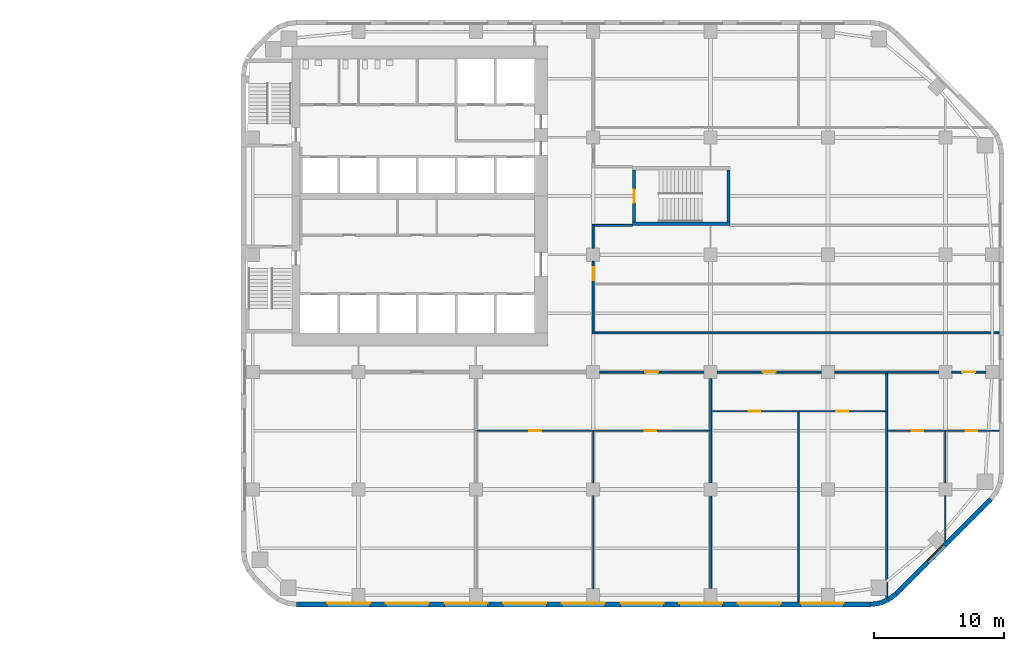
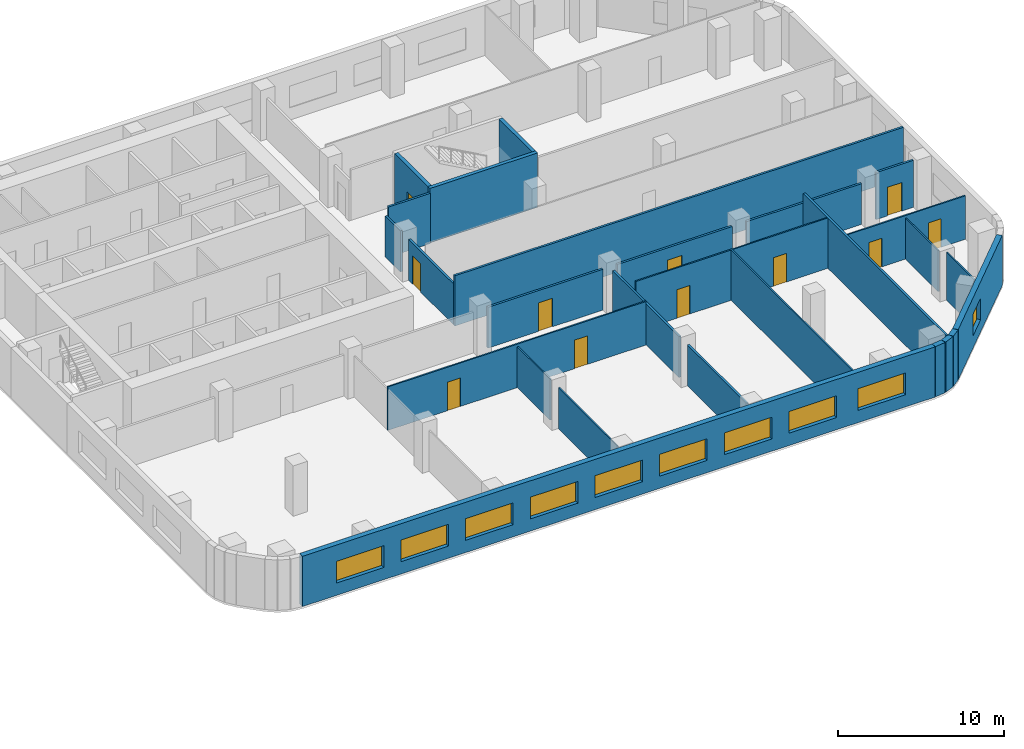
# One storey, part 10 of 16: 28 walls, 11 doors, 10 windows, 21 openings.
"""IFC4 building model written with IfcOpenShell, lengths in metres."""

import ifcopenshell
import ifcopenshell.guid

model = None  # the IFC model being written
_history = None  # IfcOwnerHistory: only IFC2X3 demands one
_inside = {}  # id of a spatial element -> (the spatial element, [elements in it])
_under = {}  # id of a project, library or spatial element -> (it, [spatial elements below it])
_declared = {}  # id of a project -> (the project, [libraries it declares])
_typed = {}  # id of a type object -> (the type object, [elements of that type])
_made_of = {}  # id of a material, layer set ... -> (it, [elements and type objects made of it])


def new_model(schema):
    """Start an empty IFC model of exactly this schema.

    Asked for "IFC4X3", IfcOpenShell would pick the latest addendum, in which some entities
    have other attributes; the version numbers below select the first issue.
    IFC2X3 requires an IfcOwnerHistory on every rooted entity: one is made here for all.
    """
    global model, _history
    if schema == "IFC4X3":
        model = ifcopenshell.file(schema_version=(4, 3, 0, 0))
    else:
        model = ifcopenshell.file(schema=schema)
    _inside.clear()
    _under.clear()
    _declared.clear()
    _typed.clear()
    _made_of.clear()
    _history = None
    if model.schema == "IFC2X3":
        org = make("IfcOrganization", Name="unknown")
        user = make(
            "IfcPersonAndOrganization",
            ThePerson=make("IfcPerson", FamilyName="unknown"),
            TheOrganization=org,
        )
        app = make(
            "IfcApplication",
            ApplicationDeveloper=org,
            Version="unknown",
            ApplicationFullName="unknown",
            ApplicationIdentifier="unknown",
        )
        _history = make(
            "IfcOwnerHistory",
            OwningUser=user,
            OwningApplication=app,
            ChangeAction="ADDED",
            CreationDate=0,
        )
    return model


def make(cls, **values):
    """One entity of the class cls with the attributes given. An attribute that is None is left unset."""
    return model.create_entity(
        cls, **{name: value for name, value in values.items() if value is not None}
    )


def rooted(cls, **values):
    """An entity with a GlobalId (a new one), such as an element, a storey or a relation."""
    return make(cls, GlobalId=ifcopenshell.guid.new(), OwnerHistory=_history, **values)


def si_unit(unit_type, name, prefix=None):
    """IfcSIUnit, for example si_unit("LENGTHUNIT", "METRE", prefix="MILLI")."""
    return make("IfcSIUnit", UnitType=unit_type, Prefix=prefix, Name=name)


def assignment(units):
    """IfcUnitAssignment: the units of a project."""
    return None if units is None else make("IfcUnitAssignment", Units=units)


def point(xyz):
    """IfcCartesianPoint."""
    return None if xyz is None else make("IfcCartesianPoint", Coordinates=xyz)


def direction(xyz):
    """IfcDirection."""
    return None if xyz is None else make("IfcDirection", DirectionRatios=xyz)


def frame(location, z_axis=None, x_axis=None):
    """IfcAxis2Placement3D, a coordinate frame: its origin and axes. An axis left out is left unset."""
    return make(
        "IfcAxis2Placement3D",
        Location=point(location),
        Axis=direction(z_axis),
        RefDirection=direction(x_axis),
    )


def frame_2d(location, x_axis=None):
    """IfcAxis2Placement2D, a coordinate frame in the plane: its origin and x axis."""
    return make(
        "IfcAxis2Placement2D", Location=point(location), RefDirection=direction(x_axis)
    )


def origin():
    """The frame at (0, 0, 0) with its axes left unset."""
    return frame((0.0, 0.0, 0.0))


def place(relative_to, where):
    """IfcLocalPlacement: puts the frame where relative to a parent placement (None: the world)."""
    return make(
        "IfcLocalPlacement", PlacementRelTo=relative_to, RelativePlacement=where
    )


def context(
    kind, dimensions, precision=None, world=None, true_north=None, identifier=None
):
    """IfcGeometricRepresentationContext, for example the 3D "Model" context."""
    return make(
        "IfcGeometricRepresentationContext",
        ContextIdentifier=identifier,
        ContextType=kind,
        CoordinateSpaceDimension=dimensions,
        Precision=precision,
        WorldCoordinateSystem=world,
        TrueNorth=true_north,
    )


def subcontext(parent, identifier, kind, view, scale=None):
    """IfcGeometricRepresentationSubContext, for example "Body" below "Model"."""
    return make(
        "IfcGeometricRepresentationSubContext",
        ContextIdentifier=identifier,
        ContextType=kind,
        ParentContext=parent,
        TargetScale=scale,
        TargetView=view,
    )


def project(units=None, contexts=None):
    """IfcProject with its units and contexts."""
    return rooted(
        "IfcProject",
        Name="project",
        RepresentationContexts=contexts,
        UnitsInContext=assignment(units),
    )


def spatial(cls, under=None, at=None, **own):
    """A site, building, storey or space (cls), placed at a placement, below another one or the project."""
    s = rooted(cls, ObjectPlacement=at, **own)
    if under is not None:
        _under.setdefault(under.id(), (under, []))[1].append(s)
    return s


def profile(cls, at=None, kind="AREA", **sizes):
    """A parametric profile (cls). Its sizes go by their IFC names, for example OverallWidth=200.0."""
    return make(cls, ProfileType=kind, Position=at, **sizes)


def rectangle(**sizes):
    """IfcRectangleProfileDef."""
    return profile("IfcRectangleProfileDef", **sizes)


def extrude(swept, where, along, depth):
    """IfcExtrudedAreaSolid: the profile swept, set in the frame where, extruded along a direction by depth."""
    return make(
        "IfcExtrudedAreaSolid",
        SweptArea=swept,
        Position=where,
        ExtrudedDirection=direction(along),
        Depth=depth,
    )


def shape(context_of_items, identifier, shape_type, items):
    """IfcShapeRepresentation: the items that make up one representation, for example the "Body"."""
    return make(
        "IfcShapeRepresentation",
        ContextOfItems=context_of_items,
        RepresentationIdentifier=identifier,
        RepresentationType=shape_type,
        Items=items,
    )


def material(Name=None, Category=None):
    """IfcMaterial."""
    return make("IfcMaterial", Name=Name, Category=Category)


def layer(
    of_material, thickness, ventilated=None, Name=None, Category=None, Priority=None
):
    """IfcMaterialLayer: one layer of a wall or slab, of a material (None: an air gap)."""
    return make(
        "IfcMaterialLayer",
        Material=of_material,
        LayerThickness=thickness,
        IsVentilated=ventilated,
        Name=Name,
        Category=Category,
        Priority=Priority,
    )


def layer_set(layers, Name=None):
    """IfcMaterialLayerSet."""
    return make("IfcMaterialLayerSet", MaterialLayers=layers, LayerSetName=Name)


def made_of(thing, what):
    """Note that an element or type object is made of a material, layer set ...; save() writes the relation."""
    if what is not None:
        _made_of.setdefault(what.id(), (what, []))[1].append(thing)
    return thing


def type_object(cls, material=None, **own):
    """A type object (cls), such as IfcWallType, which elements share."""
    return made_of(rooted(cls, **own), material)


def element(
    cls,
    number,
    at=None,
    inside=None,
    cuts=None,
    type_object=None,
    material=None,
    context=None,
    identifier="Body",
    shape_type=None,
    held_by="IfcProductDefinitionShape",
    body=None,
    shapes=None,
    **own,
):
    """One element of the class cls, such as IfcWall. Its Tag is "e" and its number.

    at: its placement. inside: the storey or other place that contains it. cuts: it is an
    opening in that element (IfcRelVoidsElement). A single representation is given by context,
    identifier, shape_type and body (its items); several are given by shapes. held_by: the class
    of the entity that holds the representations. save() writes the other relations.
    """
    e = rooted(cls, Tag="e%d" % number, ObjectPlacement=at, **own)
    if body is not None:
        shapes = [shape(context, identifier, shape_type, body)]
    if shapes is not None:
        e.Representation = make(held_by, Representations=shapes)
    if inside is not None:
        _inside.setdefault(inside.id(), (inside, []))[1].append(e)
    if cuts is not None:
        rooted(
            "IfcRelVoidsElement", RelatingBuildingElement=cuts, RelatedOpeningElement=e
        )
    if type_object is not None:
        _typed.setdefault(type_object.id(), (type_object, []))[1].append(e)
    return made_of(e, material)


def fill(opening, filler):
    """IfcRelFillsElement: the door or window that sits in an opening."""
    return rooted(
        "IfcRelFillsElement",
        RelatingOpeningElement=opening,
        RelatedBuildingElement=filler,
    )


def aggregate(whole, parts):
    """IfcRelAggregates: a whole, such as a stair, and the parts it consists of."""
    return rooted("IfcRelAggregates", RelatingObject=whole, RelatedObjects=parts)


def save(model, path):
    """Write the relations noted so far, then the file.

    IfcRelAggregates (storeys below a building ...), IfcRelContainedInSpatialStructure (elements
    in a storey), IfcRelDefinesByType, IfcRelAssociatesMaterial and IfcRelDeclares: one each for
    every whole, place, type object, material and project.
    """
    for whole, parts in _under.values():
        aggregate(whole, parts)
    for where, things in _inside.values():
        rooted(
            "IfcRelContainedInSpatialStructure",
            RelatedElements=things,
            RelatingStructure=where,
        )
    for kind, things in _typed.values():
        rooted("IfcRelDefinesByType", RelatedObjects=things, RelatingType=kind)
    for what, things in _made_of.values():
        rooted("IfcRelAssociatesMaterial", RelatedObjects=things, RelatingMaterial=what)
    for by, libraries in _declared.values():
        rooted("IfcRelDeclares", RelatingContext=by, RelatedDefinitions=libraries)
    model.write(path)


model = new_model("IFC4")

# Units and contexts
model_context = context("Model", 3, precision=1e-05, world=origin(), true_north=direction((0.0, 1.0)))
body_context = subcontext(model_context, "Body", "Model", "MODEL_VIEW")
ifc_project = project(units=[si_unit("LENGTHUNIT", "METRE"), si_unit("AREAUNIT", "SQUARE_METRE"), si_unit("VOLUMEUNIT", "CUBIC_METRE"), si_unit("PLANEANGLEUNIT", "RADIAN"), si_unit("MASSUNIT", "GRAM", prefix="KILO")], contexts=[model_context])

# Site, building, storey
site_placement = place(None, origin())
site = spatial("IfcSite", under=ifc_project, at=site_placement, CompositionType="ELEMENT")
building_placement = place(site_placement, origin())
building = spatial("IfcBuilding", under=site, at=building_placement, Name="Cinnabar Reach Civic Tower", CompositionType="ELEMENT")
storey_placement = place(building_placement, frame((0.0, 0.0, 42.0)))
storey = spatial("IfcBuildingStorey", under=building, at=storey_placement, Name="L09", CompositionType="ELEMENT", Elevation=42.0)

# Walls
ifc_material_1 = material(Name="Facing brick with insulated backing", Category="masonry")
ifc_layer_1 = layer(ifc_material_1, 0.36)
ifc_layer_set_1 = layer_set([ifc_layer_1], Name="Brick corner wall")
wall_type_1 = type_object("IfcWallType", Name="Brick corner wall", PredefinedType="STANDARD", material=ifc_layer_set_1)
for number, where, z_axis, x_axis, name in (
    (1, (48.2686, 0.183, 0.0), (0.0, 0.0, 1.0), (0.99144092581, 0.13055608231, 0.0), "Brick corner wall"),
    (2, (48.9973, 0.2819, 0.0), (0.0, 0.0, 1.0), (0.923871547278, 0.382702709855, 0.0), "Brick corner wall"),
):
    element("IfcWall", number, at=place(storey_placement, frame(where, z_axis=z_axis, x_axis=x_axis)), inside=storey, type_object=wall_type_1, Name=name, PredefinedType="STANDARD", context=body_context, shape_type="SweptSolid", body=[
        extrude(rectangle(XDim=0.7131, YDim=0.36, at=frame_2d((0.3565, 0.0))), origin(), (0.0, 0.0, 1.0), 3.7),
    ])
wall_1_placement = place(storey_placement, frame((49.6755, 0.566, 0.0), z_axis=(0.0, 0.0, 1.0), x_axis=(0.793321924995, 0.608802368033, 0.0)))
element("IfcWall", 3, at=wall_1_placement, inside=storey, type_object=wall_type_1, Name="Brick corner wall", PredefinedType="STANDARD", context=body_context, shape_type="SweptSolid", body=[
    extrude(rectangle(XDim=0.7132, YDim=0.36, at=frame_2d((0.3566, 0.0))), origin(), (0.0, 0.0, 1.0), 3.7),
])

# Wall, openings, windows
ifc_layer_2 = layer(ifc_material_1, 0.36)
ifc_layer_set_2 = layer_set([ifc_layer_2], Name="Brick pier and spandrel wall")
wall_type_2 = type_object("IfcWallType", Name="Brick pier and spandrel wall", PredefinedType="STANDARD", material=ifc_layer_set_2)
wall_2_placement = place(storey_placement, frame((4.2426, 0.18, 0.0), z_axis=(0.0, 0.0, 1.0), x_axis=(1.0, 0.0, 0.0)))
wall_2 = element("IfcWall", 4, at=wall_2_placement, inside=storey, type_object=wall_type_2, Name="Brick facade wall", PredefinedType="STANDARD", context=body_context, shape_type="SweptSolid", body=[
    extrude(rectangle(XDim=44.0148, YDim=0.36, at=frame_2d((22.0074, 0.0))), origin(), (0.0, 0.0, 1.0), 3.7),
])
opening_1_placement = place(wall_2_placement, frame((2.3574, 0.0, 0.9)))
opening_1 = element("IfcOpeningElement", 5, at=opening_1_placement, cuts=wall_2, Name="Opening W1105", PredefinedType="OPENING", context=body_context, shape_type="SweptSolid", body=[
    extrude(rectangle(XDim=3.3, YDim=1.6, at=frame_2d((1.65, 0.8))), frame((0.0, 0.19, 0.0), z_axis=(0.0, -1.0, 0.0), x_axis=(1.0, 0.0, 0.0)), (0.0, 0.0, 1.0), 0.38),
])
opening_2_placement = place(wall_2_placement, frame((6.8574, 0.0, 0.9)))
opening_2 = element("IfcOpeningElement", 6, at=opening_2_placement, cuts=wall_2, Name="Opening W1106", PredefinedType="OPENING", context=body_context, shape_type="SweptSolid", body=[
    extrude(rectangle(XDim=3.3, YDim=1.6, at=frame_2d((1.65, 0.8))), frame((0.0, 0.19, 0.0), z_axis=(0.0, -1.0, 0.0), x_axis=(1.0, 0.0, 0.0)), (0.0, 0.0, 1.0), 0.38),
])
opening_3_placement = place(wall_2_placement, frame((11.3574, 0.0, 0.9)))
opening_3 = element("IfcOpeningElement", 7, at=opening_3_placement, cuts=wall_2, Name="Opening W1107", PredefinedType="OPENING", context=body_context, shape_type="SweptSolid", body=[
    extrude(rectangle(XDim=3.3, YDim=1.6, at=frame_2d((1.65, 0.8))), frame((0.0, 0.19, 0.0), z_axis=(0.0, -1.0, 0.0), x_axis=(1.0, 0.0, 0.0)), (0.0, 0.0, 1.0), 0.38),
])
opening_4_placement = place(wall_2_placement, frame((15.8574, 0.0, 0.9)))
opening_4 = element("IfcOpeningElement", 8, at=opening_4_placement, cuts=wall_2, Name="Opening W1108", PredefinedType="OPENING", context=body_context, shape_type="SweptSolid", body=[
    extrude(rectangle(XDim=3.3, YDim=1.6, at=frame_2d((1.65, 0.8))), frame((0.0, 0.19, 0.0), z_axis=(0.0, -1.0, 0.0), x_axis=(1.0, 0.0, 0.0)), (0.0, 0.0, 1.0), 0.38),
])
opening_5_placement = place(wall_2_placement, frame((20.3574, 0.0, 0.9)))
opening_5 = element("IfcOpeningElement", 9, at=opening_5_placement, cuts=wall_2, Name="Opening W1109", PredefinedType="OPENING", context=body_context, shape_type="SweptSolid", body=[
    extrude(rectangle(XDim=3.3, YDim=1.6, at=frame_2d((1.65, 0.8))), frame((0.0, 0.19, 0.0), z_axis=(0.0, -1.0, 0.0), x_axis=(1.0, 0.0, 0.0)), (0.0, 0.0, 1.0), 0.38),
])
opening_6_placement = place(wall_2_placement, frame((24.8574, 0.0, 0.9)))
opening_6 = element("IfcOpeningElement", 10, at=opening_6_placement, cuts=wall_2, Name="Opening W1110", PredefinedType="OPENING", context=body_context, shape_type="SweptSolid", body=[
    extrude(rectangle(XDim=3.3, YDim=1.6, at=frame_2d((1.65, 0.8))), frame((0.0, 0.19, 0.0), z_axis=(0.0, -1.0, 0.0), x_axis=(1.0, 0.0, 0.0)), (0.0, 0.0, 1.0), 0.38),
])
opening_7_placement = place(wall_2_placement, frame((29.3574, 0.0, 0.9)))
opening_7 = element("IfcOpeningElement", 11, at=opening_7_placement, cuts=wall_2, Name="Opening W1111", PredefinedType="OPENING", context=body_context, shape_type="SweptSolid", body=[
    extrude(rectangle(XDim=3.3, YDim=1.6, at=frame_2d((1.65, 0.8))), frame((0.0, 0.19, 0.0), z_axis=(0.0, -1.0, 0.0), x_axis=(1.0, 0.0, 0.0)), (0.0, 0.0, 1.0), 0.38),
])
opening_8_placement = place(wall_2_placement, frame((33.8574, 0.0, 0.9)))
opening_8 = element("IfcOpeningElement", 12, at=opening_8_placement, cuts=wall_2, Name="Opening W1112", PredefinedType="OPENING", context=body_context, shape_type="SweptSolid", body=[
    extrude(rectangle(XDim=3.3, YDim=1.6, at=frame_2d((1.65, 0.8))), frame((0.0, 0.19, 0.0), z_axis=(0.0, -1.0, 0.0), x_axis=(1.0, 0.0, 0.0)), (0.0, 0.0, 1.0), 0.38),
])
opening_9_placement = place(wall_2_placement, frame((38.6574, 0.0, 0.9)))
opening_9 = element("IfcOpeningElement", 13, at=opening_9_placement, cuts=wall_2, Name="Opening W1113", PredefinedType="OPENING", context=body_context, shape_type="SweptSolid", body=[
    extrude(rectangle(XDim=3.3, YDim=1.6, at=frame_2d((1.65, 0.8))), frame((0.0, 0.19, 0.0), z_axis=(0.0, -1.0, 0.0), x_axis=(1.0, 0.0, 0.0)), (0.0, 0.0, 1.0), 0.38),
])
ifc_material_2 = material(Name="Clear double glazing in aluminium frame", Category="aluminium")
window_type_1 = type_object("IfcWindowType", Name="Deep-set window A", PartitioningType="SINGLE_PANEL", PredefinedType="WINDOW", material=ifc_material_2)
window_1_placement = place(opening_1_placement, origin())
window_1 = element("IfcWindow", 14, at=window_1_placement, inside=storey, type_object=window_type_1, Name="Window south face", OverallHeight=1.6, OverallWidth=3.3, PartitioningType="SINGLE_PANEL", PredefinedType="WINDOW", context=body_context, shape_type="SweptSolid", body=[
    extrude(rectangle(XDim=3.3, YDim=1.6, at=frame_2d((1.65, 0.8))), frame((0.0, 0.13, 0.0), z_axis=(0.0, -1.0, 0.0), x_axis=(1.0, 0.0, 0.0)), (0.0, 0.0, 1.0), 0.06),
])
fill(opening_1, window_1)
window_2_placement = place(opening_2_placement, origin())
window_2 = element("IfcWindow", 15, at=window_2_placement, inside=storey, type_object=window_type_1, Name="Window south face", OverallHeight=1.6, OverallWidth=3.3, PartitioningType="SINGLE_PANEL", PredefinedType="WINDOW", context=body_context, shape_type="SweptSolid", body=[
    extrude(rectangle(XDim=3.3, YDim=1.6, at=frame_2d((1.65, 0.8))), frame((0.0, 0.13, 0.0), z_axis=(0.0, -1.0, 0.0), x_axis=(1.0, 0.0, 0.0)), (0.0, 0.0, 1.0), 0.06),
])
fill(opening_2, window_2)
window_3_placement = place(opening_3_placement, origin())
window_3 = element("IfcWindow", 16, at=window_3_placement, inside=storey, type_object=window_type_1, Name="Window south face", OverallHeight=1.6, OverallWidth=3.3, PartitioningType="SINGLE_PANEL", PredefinedType="WINDOW", context=body_context, shape_type="SweptSolid", body=[
    extrude(rectangle(XDim=3.3, YDim=1.6, at=frame_2d((1.65, 0.8))), frame((0.0, 0.13, 0.0), z_axis=(0.0, -1.0, 0.0), x_axis=(1.0, 0.0, 0.0)), (0.0, 0.0, 1.0), 0.06),
])
fill(opening_3, window_3)
window_4_placement = place(opening_4_placement, origin())
window_4 = element("IfcWindow", 17, at=window_4_placement, inside=storey, type_object=window_type_1, Name="Window south face", OverallHeight=1.6, OverallWidth=3.3, PartitioningType="SINGLE_PANEL", PredefinedType="WINDOW", context=body_context, shape_type="SweptSolid", body=[
    extrude(rectangle(XDim=3.3, YDim=1.6, at=frame_2d((1.65, 0.8))), frame((0.0, 0.13, 0.0), z_axis=(0.0, -1.0, 0.0), x_axis=(1.0, 0.0, 0.0)), (0.0, 0.0, 1.0), 0.06),
])
fill(opening_4, window_4)
window_5_placement = place(opening_5_placement, origin())
window_5 = element("IfcWindow", 18, at=window_5_placement, inside=storey, type_object=window_type_1, Name="Window south face", OverallHeight=1.6, OverallWidth=3.3, PartitioningType="SINGLE_PANEL", PredefinedType="WINDOW", context=body_context, shape_type="SweptSolid", body=[
    extrude(rectangle(XDim=3.3, YDim=1.6, at=frame_2d((1.65, 0.8))), frame((0.0, 0.13, 0.0), z_axis=(0.0, -1.0, 0.0), x_axis=(1.0, 0.0, 0.0)), (0.0, 0.0, 1.0), 0.06),
])
fill(opening_5, window_5)
window_6_placement = place(opening_6_placement, origin())
window_6 = element("IfcWindow", 19, at=window_6_placement, inside=storey, type_object=window_type_1, Name="Window south face", OverallHeight=1.6, OverallWidth=3.3, PartitioningType="SINGLE_PANEL", PredefinedType="WINDOW", context=body_context, shape_type="SweptSolid", body=[
    extrude(rectangle(XDim=3.3, YDim=1.6, at=frame_2d((1.65, 0.8))), frame((0.0, 0.13, 0.0), z_axis=(0.0, -1.0, 0.0), x_axis=(1.0, 0.0, 0.0)), (0.0, 0.0, 1.0), 0.06),
])
fill(opening_6, window_6)
window_7_placement = place(opening_7_placement, origin())
window_7 = element("IfcWindow", 20, at=window_7_placement, inside=storey, type_object=window_type_1, Name="Window south face", OverallHeight=1.6, OverallWidth=3.3, PartitioningType="SINGLE_PANEL", PredefinedType="WINDOW", context=body_context, shape_type="SweptSolid", body=[
    extrude(rectangle(XDim=3.3, YDim=1.6, at=frame_2d((1.65, 0.8))), frame((0.0, 0.13, 0.0), z_axis=(0.0, -1.0, 0.0), x_axis=(1.0, 0.0, 0.0)), (0.0, 0.0, 1.0), 0.06),
])
fill(opening_7, window_7)
window_8_placement = place(opening_8_placement, origin())
window_8 = element("IfcWindow", 21, at=window_8_placement, inside=storey, type_object=window_type_1, Name="Window south face", OverallHeight=1.6, OverallWidth=3.3, PartitioningType="SINGLE_PANEL", PredefinedType="WINDOW", context=body_context, shape_type="SweptSolid", body=[
    extrude(rectangle(XDim=3.3, YDim=1.6, at=frame_2d((1.65, 0.8))), frame((0.0, 0.13, 0.0), z_axis=(0.0, -1.0, 0.0), x_axis=(1.0, 0.0, 0.0)), (0.0, 0.0, 1.0), 0.06),
])
fill(opening_8, window_8)
window_9_placement = place(opening_9_placement, origin())
window_9 = element("IfcWindow", 22, at=window_9_placement, inside=storey, type_object=window_type_1, Name="Window south face", OverallHeight=1.6, OverallWidth=3.3, PartitioningType="SINGLE_PANEL", PredefinedType="WINDOW", context=body_context, shape_type="SweptSolid", body=[
    extrude(rectangle(XDim=3.3, YDim=1.6, at=frame_2d((1.65, 0.8))), frame((0.0, 0.13, 0.0), z_axis=(0.0, -1.0, 0.0), x_axis=(1.0, 0.0, 0.0)), (0.0, 0.0, 1.0), 0.06),
])
fill(opening_9, window_9)

# Wall, opening, window
wall_3_placement = place(storey_placement, frame((50.2514, 1.006, 0.0), z_axis=(0.0, 0.0, 1.0), x_axis=(0.707106781187, 0.707106781187, 0.0)))
wall_3 = element("IfcWall", 23, at=wall_3_placement, inside=storey, type_object=wall_type_2, Name="Brick facade wall", PredefinedType="STANDARD", context=body_context, shape_type="SweptSolid", body=[
    extrude(rectangle(XDim=10.2426, YDim=0.36, at=frame_2d((5.1213, 0.0))), origin(), (0.0, 0.0, 1.0), 3.7),
])
opening_10_placement = place(wall_3_placement, frame((3.4213, 0.0, 0.9)))
opening_10 = element("IfcOpeningElement", 24, at=opening_10_placement, cuts=wall_3, Name="Opening W1114", PredefinedType="OPENING", context=body_context, shape_type="SweptSolid", body=[
    extrude(rectangle(XDim=1.8, YDim=1.6, at=frame_2d((0.9, 0.8))), frame((0.0, 0.19, 0.0), z_axis=(0.0, -1.0, 0.0), x_axis=(1.0, 0.0, 0.0)), (0.0, 0.0, 1.0), 0.38),
])
window_type_2 = type_object("IfcWindowType", Name="Deep-set window D", PartitioningType="SINGLE_PANEL", PredefinedType="WINDOW", material=ifc_material_2)
window_10_placement = place(opening_10_placement, origin())
window_10 = element("IfcWindow", 25, at=window_10_placement, inside=storey, type_object=window_type_2, Name="Window southeast face", OverallHeight=1.6, OverallWidth=1.8, PartitioningType="SINGLE_PANEL", PredefinedType="WINDOW", context=body_context, shape_type="SweptSolid", body=[
    extrude(rectangle(XDim=1.8, YDim=1.6, at=frame_2d((0.9, 0.8))), frame((0.0, 0.13, 0.0), z_axis=(0.0, -1.0, 0.0), x_axis=(1.0, 0.0, 0.0)), (0.0, 0.0, 1.0), 0.06),
])
fill(opening_10, window_10)

# Wall, opening, door
ifc_material_3 = material(Name="Gypsum board on steel studs, double layer", Category="steel")
ifc_layer_3 = layer(ifc_material_3, 0.15)
ifc_layer_set_3 = layer_set([ifc_layer_3], Name="Corridor wall 150 T1")
wall_type_3 = type_object("IfcWallType", Name="Corridor wall 150 T1", PredefinedType="PARTITIONING", material=ifc_layer_set_3)
wall_4_placement = place(storey_placement, frame((54.5, 18.0, 0.0), z_axis=(0.0, 0.0, 1.0), x_axis=(1.0, 0.0, 0.0)))
wall_4 = element("IfcWall", 26, at=wall_4_placement, inside=storey, type_object=wall_type_3, Name="Corridor wall 19", PredefinedType="PARTITIONING", context=body_context, shape_type="SweptSolid", body=[
    extrude(rectangle(XDim=2.6, YDim=0.15, at=frame_2d((1.3, 0.0))), origin(), (0.0, 0.0, 1.0), 3.452),
])
opening_11_placement = place(wall_4_placement, frame((0.8, 0.0, 0.0)))
opening_11 = element("IfcOpeningElement", 27, at=opening_11_placement, cuts=wall_4, Name="Opening D3390", PredefinedType="OPENING", context=body_context, shape_type="SweptSolid", body=[
    extrude(rectangle(XDim=1.0, YDim=2.1, at=frame_2d((0.5, 1.05))), frame((0.0, 0.085, 0.0), z_axis=(0.0, -1.0, 0.0), x_axis=(1.0, 0.0, 0.0)), (0.0, 0.0, 1.0), 0.17),
])
ifc_material_4 = material(Name="Timber door leaf in steel frame", Category="steel")
door_type_1 = type_object("IfcDoorType", Name="Tenancy entrance door 1000 x 2100 T1", OperationType="SINGLE_SWING_LEFT", PredefinedType="DOOR", material=ifc_material_4)
door_1_placement = place(opening_11_placement, frame((1.0, 0.0, 0.0), z_axis=(0.0, 0.0, 1.0), x_axis=(-1.0, 0.0, 0.0)))
door_1 = element("IfcDoor", 28, at=door_1_placement, inside=storey, type_object=door_type_1, Name="Door D3390", OperationType="SINGLE_SWING_RIGHT", OverallHeight=2.1, OverallWidth=1.0, PredefinedType="DOOR", context=body_context, shape_type="SweptSolid", body=[
    extrude(rectangle(XDim=1.0, YDim=2.1, at=frame_2d((0.5, 1.05))), frame((0.0, 0.025, 0.0), z_axis=(0.0, -1.0, 0.0), x_axis=(1.0, 0.0, 0.0)), (0.0, 0.0, 1.0), 0.05),
])
fill(opening_11, door_1)

# Wall
wall_5_placement = place(storey_placement, frame((45.5, 18.0, 0.0), z_axis=(0.0, 0.0, 1.0), x_axis=(1.0, 0.0, 0.0)))
element("IfcWall", 29, at=wall_5_placement, inside=storey, type_object=wall_type_3, Name="Corridor wall 20", PredefinedType="PARTITIONING", context=body_context, shape_type="SweptSolid", body=[
    extrude(rectangle(XDim=8.0, YDim=0.15, at=frame_2d((4.0, 0.0))), origin(), (0.0, 0.0, 1.0), 3.0),
])

# Wall, opening, door
wall_6_placement = place(storey_placement, frame((36.5, 18.0, 0.0), z_axis=(0.0, 0.0, 1.0), x_axis=(1.0, 0.0, 0.0)))
wall_6 = element("IfcWall", 30, at=wall_6_placement, inside=storey, type_object=wall_type_3, Name="Corridor wall 21", PredefinedType="PARTITIONING", context=body_context, shape_type="SweptSolid", body=[
    extrude(rectangle(XDim=8.0, YDim=0.15, at=frame_2d((4.0, 0.0))), origin(), (0.0, 0.0, 1.0), 3.0),
])
opening_12_placement = place(wall_6_placement, frame((3.5, 0.0, 0.0)))
opening_12 = element("IfcOpeningElement", 31, at=opening_12_placement, cuts=wall_6, Name="Opening D3387", PredefinedType="OPENING", context=body_context, shape_type="SweptSolid", body=[
    extrude(rectangle(XDim=1.0, YDim=2.1, at=frame_2d((0.5, 1.05))), frame((0.0, 0.085, 0.0), z_axis=(0.0, -1.0, 0.0), x_axis=(1.0, 0.0, 0.0)), (0.0, 0.0, 1.0), 0.17),
])
door_2_placement = place(opening_12_placement, frame((1.0, 0.0, 0.0), z_axis=(0.0, 0.0, 1.0), x_axis=(-1.0, 0.0, 0.0)))
door_2 = element("IfcDoor", 32, at=door_2_placement, inside=storey, type_object=door_type_1, Name="Door D3387", OperationType="SINGLE_SWING_RIGHT", OverallHeight=2.1, OverallWidth=1.0, PredefinedType="DOOR", context=body_context, shape_type="SweptSolid", body=[
    extrude(rectangle(XDim=1.0, YDim=2.1, at=frame_2d((0.5, 1.05))), frame((0.0, 0.025, 0.0), z_axis=(0.0, -1.0, 0.0), x_axis=(1.0, 0.0, 0.0)), (0.0, 0.0, 1.0), 0.05),
])
fill(opening_12, door_2)

wall_7_placement = place(storey_placement, frame((27.5, 18.0, 0.0), z_axis=(0.0, 0.0, 1.0), x_axis=(1.0, 0.0, 0.0)))
wall_7 = element("IfcWall", 33, at=wall_7_placement, inside=storey, type_object=wall_type_3, Name="Corridor wall 22", PredefinedType="PARTITIONING", context=body_context, shape_type="SweptSolid", body=[
    extrude(rectangle(XDim=8.0, YDim=0.15, at=frame_2d((4.0, 0.0))), origin(), (0.0, 0.0, 1.0), 3.0),
])
opening_13_placement = place(wall_7_placement, frame((3.5, 0.0, 0.0)))
opening_13 = element("IfcOpeningElement", 34, at=opening_13_placement, cuts=wall_7, Name="Opening D3384", PredefinedType="OPENING", context=body_context, shape_type="SweptSolid", body=[
    extrude(rectangle(XDim=1.0, YDim=2.1, at=frame_2d((0.5, 1.05))), frame((0.0, 0.085, 0.0), z_axis=(0.0, -1.0, 0.0), x_axis=(1.0, 0.0, 0.0)), (0.0, 0.0, 1.0), 0.17),
])
door_3_placement = place(opening_13_placement, frame((1.0, 0.0, 0.0), z_axis=(0.0, 0.0, 1.0), x_axis=(-1.0, 0.0, 0.0)))
door_3 = element("IfcDoor", 35, at=door_3_placement, inside=storey, type_object=door_type_1, Name="Door D3384", OperationType="SINGLE_SWING_RIGHT", OverallHeight=2.1, OverallWidth=1.0, PredefinedType="DOOR", context=body_context, shape_type="SweptSolid", body=[
    extrude(rectangle(XDim=1.0, YDim=2.1, at=frame_2d((0.5, 1.05))), frame((0.0, 0.025, 0.0), z_axis=(0.0, -1.0, 0.0), x_axis=(1.0, 0.0, 0.0)), (0.0, 0.0, 1.0), 0.05),
])
fill(opening_13, door_3)

# Wall
wall_8_placement = place(storey_placement, frame((26.925, 21.0, 0.0), z_axis=(0.0, 0.0, 1.0), x_axis=(1.0, 0.0, 0.0)))
element("IfcWall", 36, at=wall_8_placement, inside=storey, type_object=wall_type_3, Name="Corridor wall 26", PredefinedType="PARTITIONING", context=body_context, shape_type="SweptSolid", body=[
    extrude(rectangle(XDim=31.215, YDim=0.15, at=frame_2d((15.6075, 0.0))), origin(), (0.0, 0.0, 1.0), 3.7),
])

# Wall, opening, door
wall_9_placement = place(storey_placement, frame((27.0, 21.075, 0.0), z_axis=(0.0, 0.0, 1.0), x_axis=(0.0, 1.0, 0.0)))
wall_9 = element("IfcWall", 37, at=wall_9_placement, inside=storey, type_object=wall_type_3, Name="Corridor wall 31", PredefinedType="PARTITIONING", context=body_context, shape_type="SweptSolid", body=[
    extrude(rectangle(XDim=5.425, YDim=0.15, at=frame_2d((2.7125, 0.0))), origin(), (0.0, 0.0, 1.0), 3.008),
])
opening_14_placement = place(wall_9_placement, frame((3.975, 0.0, 0.0)))
opening_14 = element("IfcOpeningElement", 38, at=opening_14_placement, cuts=wall_9, Name="Opening D3381", PredefinedType="OPENING", context=body_context, shape_type="SweptSolid", body=[
    extrude(rectangle(XDim=1.0, YDim=2.1, at=frame_2d((0.5, 1.05))), frame((0.0, 0.085, 0.0), z_axis=(0.0, -1.0, 0.0), x_axis=(1.0, 0.0, 0.0)), (0.0, 0.0, 1.0), 0.17),
])
door_4_placement = place(opening_14_placement, frame((1.0, 0.0, 0.0), z_axis=(0.0, 0.0, 1.0), x_axis=(-1.0, 0.0, 0.0)))
door_4 = element("IfcDoor", 39, at=door_4_placement, inside=storey, type_object=door_type_1, Name="Door D3381", OperationType="SINGLE_SWING_RIGHT", OverallHeight=2.1, OverallWidth=1.0, PredefinedType="DOOR", context=body_context, shape_type="SweptSolid", body=[
    extrude(rectangle(XDim=1.0, YDim=2.1, at=frame_2d((0.5, 1.05))), frame((0.0, 0.025, 0.0), z_axis=(0.0, -1.0, 0.0), x_axis=(1.0, 0.0, 0.0)), (0.0, 0.0, 1.0), 0.05),
])
fill(opening_14, door_4)

# Walls
wall_10_placement = place(storey_placement, frame((27.0, 27.5, 0.0), z_axis=(0.0, 0.0, 1.0), x_axis=(0.0, 1.0, 0.0)))
element("IfcWall", 40, at=wall_10_placement, inside=storey, type_object=wall_type_3, Name="Corridor wall 32", PredefinedType="PARTITIONING", context=body_context, shape_type="SweptSolid", body=[
    extrude(rectangle(XDim=1.825, YDim=0.15, at=frame_2d((0.9125, 0.0))), origin(), (0.0, 0.0, 1.0), 3.008),
])
wall_11_placement = place(storey_placement, frame((27.075, 29.25, 0.0), z_axis=(0.0, 0.0, 1.0), x_axis=(1.0, 0.0, 0.0)))
element("IfcWall", 41, at=wall_11_placement, inside=storey, type_object=wall_type_3, Name="Corridor wall 35", PredefinedType="PARTITIONING", context=body_context, shape_type="SweptSolid", body=[
    extrude(rectangle(XDim=2.925, YDim=0.15, at=frame_2d((1.4625, 0.0))), origin(), (0.0, 0.0, 1.0), 3.7),
])

# Wall, openings, doors
ifc_material_5 = material(Name="Gypsum board on steel studs", Category="steel")
ifc_layer_4 = layer(ifc_material_5, 0.1)
ifc_layer_set_4 = layer_set([ifc_layer_4], Name="Partition wall 100 T1")
wall_type_4 = type_object("IfcWallType", Name="Partition wall 100 T1", PredefinedType="PARTITIONING", material=ifc_layer_set_4)
wall_12_placement = place(storey_placement, frame((17.95, 13.5, 0.0), z_axis=(0.0, 0.0, 1.0), x_axis=(1.0, 0.0, 0.0)))
wall_12 = element("IfcWall", 42, at=wall_12_placement, inside=storey, type_object=wall_type_4, Name="Partition wall 46", PredefinedType="PARTITIONING", context=body_context, shape_type="SweptSolid", body=[
    extrude(rectangle(XDim=17.975, YDim=0.1, at=frame_2d((8.9875, 0.0))), origin(), (0.0, 0.0, 1.0), 3.2),
])
opening_15_placement = place(wall_12_placement, frame((4.15, 0.0, 0.0)))
opening_15 = element("IfcOpeningElement", 43, at=opening_15_placement, cuts=wall_12, Name="Opening D3385", PredefinedType="OPENING", context=body_context, shape_type="SweptSolid", body=[
    extrude(rectangle(XDim=0.9, YDim=2.1, at=frame_2d((0.45, 1.05))), frame((0.0, 0.06, 0.0), z_axis=(0.0, -1.0, 0.0), x_axis=(1.0, 0.0, 0.0)), (0.0, 0.0, 1.0), 0.12),
])
opening_16_placement = place(wall_12_placement, frame((13.0, 0.0, 0.0)))
opening_16 = element("IfcOpeningElement", 44, at=opening_16_placement, cuts=wall_12, Name="Opening D3386", PredefinedType="OPENING", context=body_context, shape_type="SweptSolid", body=[
    extrude(rectangle(XDim=0.9, YDim=2.1, at=frame_2d((0.45, 1.05))), frame((0.0, 0.06, 0.0), z_axis=(0.0, -1.0, 0.0), x_axis=(1.0, 0.0, 0.0)), (0.0, 0.0, 1.0), 0.12),
])
door_type_2 = type_object("IfcDoorType", Name="Single swing door 900 x 2100 T1", OperationType="SINGLE_SWING_LEFT", PredefinedType="DOOR", material=ifc_material_4)
door_5_placement = place(opening_15_placement, origin())
door_5 = element("IfcDoor", 45, at=door_5_placement, inside=storey, type_object=door_type_2, Name="Door D3385", OperationType="SINGLE_SWING_LEFT", OverallHeight=2.1, OverallWidth=0.9, PredefinedType="DOOR", context=body_context, shape_type="SweptSolid", body=[
    extrude(rectangle(XDim=0.9, YDim=2.1, at=frame_2d((0.45, 1.05))), frame((0.0, 0.025, 0.0), z_axis=(0.0, -1.0, 0.0), x_axis=(1.0, 0.0, 0.0)), (0.0, 0.0, 1.0), 0.05),
])
fill(opening_15, door_5)
door_6_placement = place(opening_16_placement, origin())
door_6 = element("IfcDoor", 46, at=door_6_placement, inside=storey, type_object=door_type_2, Name="Door D3386", OperationType="SINGLE_SWING_LEFT", OverallHeight=2.1, OverallWidth=0.9, PredefinedType="DOOR", context=body_context, shape_type="SweptSolid", body=[
    extrude(rectangle(XDim=0.9, YDim=2.1, at=frame_2d((0.45, 1.05))), frame((0.0, 0.025, 0.0), z_axis=(0.0, -1.0, 0.0), x_axis=(1.0, 0.0, 0.0)), (0.0, 0.0, 1.0), 0.05),
])
fill(opening_16, door_6)

# Wall
wall_13_placement = place(storey_placement, frame((42.75, 0.36, 0.0), z_axis=(0.0, 0.0, 1.0), x_axis=(0.0, 1.0, 0.0)))
element("IfcWall", 47, at=wall_13_placement, inside=storey, type_object=wall_type_4, Name="Partition wall 50", PredefinedType="PARTITIONING", context=body_context, shape_type="SweptSolid", body=[
    extrude(rectangle(XDim=14.69, YDim=0.1, at=frame_2d((7.345, 0.0))), origin(), (0.0, 0.0, 1.0), 3.7),
])

# Wall, opening, door
wall_14_placement = place(storey_placement, frame((36.075, 15.0, 0.0), z_axis=(0.0, 0.0, 1.0), x_axis=(1.0, 0.0, 0.0)))
wall_14 = element("IfcWall", 48, at=wall_14_placement, inside=storey, type_object=wall_type_4, Name="Partition wall 51", PredefinedType="PARTITIONING", context=body_context, shape_type="SweptSolid", body=[
    extrude(rectangle(XDim=6.625, YDim=0.1, at=frame_2d((3.3125, 0.0))), origin(), (0.0, 0.0, 1.0), 3.7),
])
opening_17_placement = place(wall_14_placement, frame((2.85, 0.0, 0.0)))
opening_17 = element("IfcOpeningElement", 49, at=opening_17_placement, cuts=wall_14, Name="Opening D3388", PredefinedType="OPENING", context=body_context, shape_type="SweptSolid", body=[
    extrude(rectangle(XDim=0.9, YDim=2.1, at=frame_2d((0.45, 1.05))), frame((0.0, 0.06, 0.0), z_axis=(0.0, -1.0, 0.0), x_axis=(1.0, 0.0, 0.0)), (0.0, 0.0, 1.0), 0.12),
])
door_7_placement = place(opening_17_placement, origin())
door_7 = element("IfcDoor", 50, at=door_7_placement, inside=storey, type_object=door_type_2, Name="Door D3388", OperationType="SINGLE_SWING_LEFT", OverallHeight=2.1, OverallWidth=0.9, PredefinedType="DOOR", context=body_context, shape_type="SweptSolid", body=[
    extrude(rectangle(XDim=0.9, YDim=2.1, at=frame_2d((0.45, 1.05))), frame((0.0, 0.025, 0.0), z_axis=(0.0, -1.0, 0.0), x_axis=(1.0, 0.0, 0.0)), (0.0, 0.0, 1.0), 0.05),
])
fill(opening_17, door_7)

wall_15_placement = place(storey_placement, frame((42.8, 15.0, 0.0), z_axis=(0.0, 0.0, 1.0), x_axis=(1.0, 0.0, 0.0)))
wall_15 = element("IfcWall", 51, at=wall_15_placement, inside=storey, type_object=wall_type_4, Name="Partition wall 52", PredefinedType="PARTITIONING", context=body_context, shape_type="SweptSolid", body=[
    extrude(rectangle(XDim=6.625, YDim=0.1, at=frame_2d((3.3125, 0.0))), origin(), (0.0, 0.0, 1.0), 3.7),
])
opening_18_placement = place(wall_15_placement, frame((2.85, 0.0, 0.0)))
opening_18 = element("IfcOpeningElement", 52, at=opening_18_placement, cuts=wall_15, Name="Opening D3389", PredefinedType="OPENING", context=body_context, shape_type="SweptSolid", body=[
    extrude(rectangle(XDim=0.9, YDim=2.1, at=frame_2d((0.45, 1.05))), frame((0.0, 0.06, 0.0), z_axis=(0.0, -1.0, 0.0), x_axis=(1.0, 0.0, 0.0)), (0.0, 0.0, 1.0), 0.12),
])
door_8_placement = place(opening_18_placement, origin())
door_8 = element("IfcDoor", 53, at=door_8_placement, inside=storey, type_object=door_type_2, Name="Door D3389", OperationType="SINGLE_SWING_LEFT", OverallHeight=2.1, OverallWidth=0.9, PredefinedType="DOOR", context=body_context, shape_type="SweptSolid", body=[
    extrude(rectangle(XDim=0.9, YDim=2.1, at=frame_2d((0.45, 1.05))), frame((0.0, 0.025, 0.0), z_axis=(0.0, -1.0, 0.0), x_axis=(1.0, 0.0, 0.0)), (0.0, 0.0, 1.0), 0.05),
])
fill(opening_18, door_8)

# Walls
wall_16_placement = place(storey_placement, frame((27.0, 1.4, 0.0), z_axis=(0.0, 0.0, 1.0), x_axis=(0.0, 1.0, 0.0)))
element("IfcWall", 54, at=wall_16_placement, inside=storey, type_object=wall_type_4, Name="Partition wall 53", PredefinedType="PARTITIONING", context=body_context, shape_type="SweptSolid", body=[
    extrude(rectangle(XDim=7.1, YDim=0.1, at=frame_2d((3.55, 0.0))), origin(), (0.0, 0.0, 1.0), 3.008),
])
wall_17_placement = place(storey_placement, frame((27.0, 9.5, 0.0), z_axis=(0.0, 0.0, 1.0), x_axis=(0.0, 1.0, 0.0)))
element("IfcWall", 55, at=wall_17_placement, inside=storey, type_object=wall_type_4, Name="Partition wall 54", PredefinedType="PARTITIONING", context=body_context, shape_type="SweptSolid", body=[
    extrude(rectangle(XDim=3.95, YDim=0.1, at=frame_2d((1.975, 0.0))), origin(), (0.0, 0.0, 1.0), 3.008),
])

# Wall, openings, doors
wall_18_placement = place(storey_placement, frame((49.575, 13.5, 0.0), z_axis=(0.0, 0.0, 1.0), x_axis=(1.0, 0.0, 0.0)))
wall_18 = element("IfcWall", 56, at=wall_18_placement, inside=storey, type_object=wall_type_4, Name="Partition wall 55", PredefinedType="PARTITIONING", context=body_context, shape_type="SweptSolid", body=[
    extrude(rectangle(XDim=8.565, YDim=0.1, at=frame_2d((4.2825, 0.0))), origin(), (0.0, 0.0, 1.0), 3.2),
])
opening_19_placement = place(wall_18_placement, frame((1.85, 0.0, 0.0)))
opening_19 = element("IfcOpeningElement", 57, at=opening_19_placement, cuts=wall_18, Name="Opening D3391", PredefinedType="OPENING", context=body_context, shape_type="SweptSolid", body=[
    extrude(rectangle(XDim=0.9, YDim=2.1, at=frame_2d((0.45, 1.05))), frame((0.0, 0.06, 0.0), z_axis=(0.0, -1.0, 0.0), x_axis=(1.0, 0.0, 0.0)), (0.0, 0.0, 1.0), 0.12),
])
opening_20_placement = place(wall_18_placement, frame((5.975, 0.0, 0.0)))
opening_20 = element("IfcOpeningElement", 58, at=opening_20_placement, cuts=wall_18, Name="Opening D3392", PredefinedType="OPENING", context=body_context, shape_type="SweptSolid", body=[
    extrude(rectangle(XDim=0.9, YDim=2.1, at=frame_2d((0.45, 1.05))), frame((0.0, 0.06, 0.0), z_axis=(0.0, -1.0, 0.0), x_axis=(1.0, 0.0, 0.0)), (0.0, 0.0, 1.0), 0.12),
])
door_9_placement = place(opening_19_placement, origin())
door_9 = element("IfcDoor", 59, at=door_9_placement, inside=storey, type_object=door_type_2, Name="Door D3391", OperationType="SINGLE_SWING_RIGHT", OverallHeight=2.1, OverallWidth=0.9, PredefinedType="DOOR", context=body_context, shape_type="SweptSolid", body=[
    extrude(rectangle(XDim=0.9, YDim=2.1, at=frame_2d((0.45, 1.05))), frame((0.0, 0.025, 0.0), z_axis=(0.0, -1.0, 0.0), x_axis=(1.0, 0.0, 0.0)), (0.0, 0.0, 1.0), 0.05),
])
fill(opening_19, door_9)
door_10_placement = place(opening_20_placement, frame((0.9, 0.0, 0.0), z_axis=(0.0, 0.0, 1.0), x_axis=(-1.0, 0.0, 0.0)))
door_10 = element("IfcDoor", 60, at=door_10_placement, inside=storey, type_object=door_type_2, Name="Door D3392", OperationType="SINGLE_SWING_LEFT", OverallHeight=2.1, OverallWidth=0.9, PredefinedType="DOOR", context=body_context, shape_type="SweptSolid", body=[
    extrude(rectangle(XDim=0.9, YDim=2.1, at=frame_2d((0.45, 1.05))), frame((0.0, 0.025, 0.0), z_axis=(0.0, -1.0, 0.0), x_axis=(1.0, 0.0, 0.0)), (0.0, 0.0, 1.0), 0.05),
])
fill(opening_20, door_10)

# Walls
wall_19_placement = place(storey_placement, frame((54.0, 5.0091, 0.0), z_axis=(0.0, 0.0, 1.0), x_axis=(0.0, 1.0, 0.0)))
element("IfcWall", 61, at=wall_19_placement, inside=storey, type_object=wall_type_4, Name="Partition wall 56", PredefinedType="PARTITIONING", context=body_context, shape_type="SweptSolid", body=[
    extrude(rectangle(XDim=3.4909, YDim=0.1, at=frame_2d((1.7454, 0.0))), origin(), (0.0, 0.0, 1.0), 3.502),
])
wall_20_placement = place(storey_placement, frame((54.0, 9.5, 0.0), z_axis=(0.0, 0.0, 1.0), x_axis=(0.0, 1.0, 0.0)))
element("IfcWall", 62, at=wall_20_placement, inside=storey, type_object=wall_type_4, Name="Partition wall 57", PredefinedType="PARTITIONING", context=body_context, shape_type="SweptSolid", body=[
    extrude(rectangle(XDim=3.95, YDim=0.1, at=frame_2d((1.975, 0.0))), origin(), (0.0, 0.0, 1.0), 3.008),
])
ifc_material_6 = material(Name="Concrete C60", Category="concrete")
ifc_layer_5 = layer(ifc_material_6, 0.25)
ifc_layer_set_5 = layer_set([ifc_layer_5], Name="Stair shaft wall 250 EI 120")
wall_type_5 = type_object("IfcWallType", Name="Stair shaft wall 250 EI 120", PredefinedType="SOLIDWALL", material=ifc_layer_set_5)
wall_21_placement = place(storey_placement, frame((30.0, 29.375, 0.0), z_axis=(0.0, 0.0, 1.0), x_axis=(1.0, 0.0, 0.0)))
element("IfcWall", 63, at=wall_21_placement, inside=storey, type_object=wall_type_5, Name="Stair shaft wall T1-S3 L09", PredefinedType="SOLIDWALL", context=body_context, shape_type="SweptSolid", body=[
    extrude(rectangle(XDim=7.5, YDim=0.25, at=frame_2d((3.75, 0.0))), origin(), (0.0, 0.0, 1.0), 4.0),
])
wall_22_placement = place(storey_placement, frame((37.375, 29.5, 0.0), z_axis=(0.0, 0.0, 1.0), x_axis=(0.0, 1.0, 0.0)))
element("IfcWall", 64, at=wall_22_placement, inside=storey, type_object=wall_type_5, Name="Stair shaft wall T1-S3 L09", PredefinedType="SOLIDWALL", context=body_context, shape_type="SweptSolid", body=[
    extrude(rectangle(XDim=4.0, YDim=0.25, at=frame_2d((2.0, 0.0))), origin(), (0.0, 0.0, 1.0), 4.0),
])

# Wall, opening, door
wall_23_placement = place(storey_placement, frame((30.125, 33.5, 0.0), z_axis=(0.0, 0.0, 1.0), x_axis=(0.0, -1.0, 0.0)))
wall_23 = element("IfcWall", 65, at=wall_23_placement, inside=storey, type_object=wall_type_5, Name="Stair shaft wall T1-S3 L09", PredefinedType="SOLIDWALL", context=body_context, shape_type="SweptSolid", body=[
    extrude(rectangle(XDim=4.0, YDim=0.25, at=frame_2d((2.0, 0.0))), origin(), (0.0, 0.0, 1.0), 4.0),
])
opening_21_placement = place(wall_23_placement, frame((1.5, 0.0, 0.0)))
opening_21 = element("IfcOpeningElement", 66, at=opening_21_placement, cuts=wall_23, Name="Opening D3370", PredefinedType="OPENING", context=body_context, shape_type="SweptSolid", body=[
    extrude(rectangle(XDim=1.0, YDim=2.1, at=frame_2d((0.5, 1.05))), frame((0.0, 0.135, 0.0), z_axis=(0.0, -1.0, 0.0), x_axis=(1.0, 0.0, 0.0)), (0.0, 0.0, 1.0), 0.27),
])
door_type_3 = type_object("IfcDoorType", Name="Stair door 1000 x 2100 T1", OperationType="SINGLE_SWING_LEFT", PredefinedType="DOOR", material=ifc_material_4)
door_11_placement = place(opening_21_placement, origin())
door_11 = element("IfcDoor", 67, at=door_11_placement, inside=storey, type_object=door_type_3, Name="Door D3370", OperationType="SINGLE_SWING_RIGHT", OverallHeight=2.1, OverallWidth=1.0, PredefinedType="DOOR", context=body_context, shape_type="SweptSolid", body=[
    extrude(rectangle(XDim=1.0, YDim=2.1, at=frame_2d((0.5, 1.05))), frame((0.0, 0.025, 0.0), z_axis=(0.0, -1.0, 0.0), x_axis=(1.0, 0.0, 0.0)), (0.0, 0.0, 1.0), 0.05),
])
fill(opening_21, door_11)

# Walls
ifc_layer_6 = layer(ifc_material_3, 0.15)
ifc_layer_set_6 = layer_set([ifc_layer_6], Name="Tenancy separating wall 150 T1")
wall_type_6 = type_object("IfcWallType", Name="Tenancy separating wall 150 T1", PredefinedType="PARTITIONING", material=ifc_layer_set_6)
wall_24_placement = place(storey_placement, frame((36.0, 1.4, 0.0), z_axis=(0.0, 0.0, 1.0), x_axis=(0.0, 1.0, 0.0)))
element("IfcWall", 68, at=wall_24_placement, inside=storey, type_object=wall_type_6, Name="Tenancy separating wall 41", PredefinedType="PARTITIONING", context=body_context, shape_type="SweptSolid", body=[
    extrude(rectangle(XDim=7.1, YDim=0.15, at=frame_2d((3.55, 0.0))), origin(), (0.0, 0.0, 1.0), 3.008),
])
wall_25_placement = place(storey_placement, frame((36.0, 9.5, 0.0), z_axis=(0.0, 0.0, 1.0), x_axis=(0.0, 1.0, 0.0)))
element("IfcWall", 69, at=wall_25_placement, inside=storey, type_object=wall_type_6, Name="Tenancy separating wall 42", PredefinedType="PARTITIONING", context=body_context, shape_type="SweptSolid", body=[
    extrude(rectangle(XDim=8.0, YDim=0.15, at=frame_2d((4.0, 0.0))), origin(), (0.0, 0.0, 1.0), 3.008),
])
wall_26_placement = place(storey_placement, frame((49.5, 0.716, 0.0), z_axis=(0.0, 0.0, 1.0), x_axis=(0.0, 1.0, 0.0)))
element("IfcWall", 70, at=wall_26_placement, inside=storey, type_object=wall_type_6, Name="Tenancy separating wall 43", PredefinedType="PARTITIONING", context=body_context, shape_type="SweptSolid", body=[
    extrude(rectangle(XDim=17.209, YDim=0.15, at=frame_2d((8.6045, 0.0))), origin(), (0.0, 0.0, 1.0), 3.7),
])

save(model, "model.ifc")
